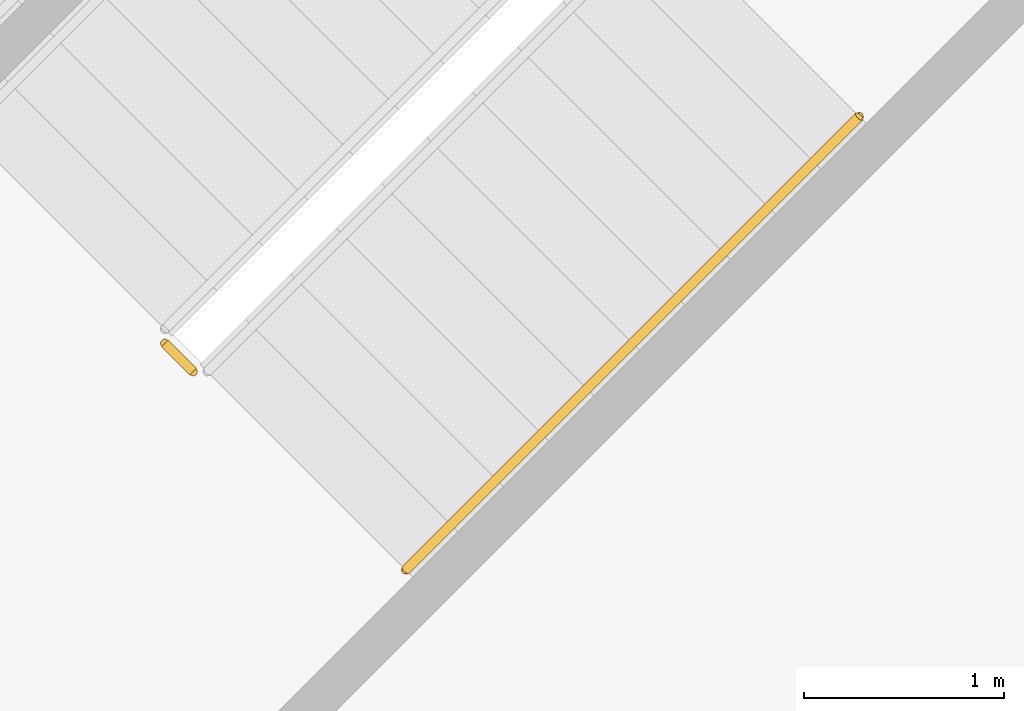
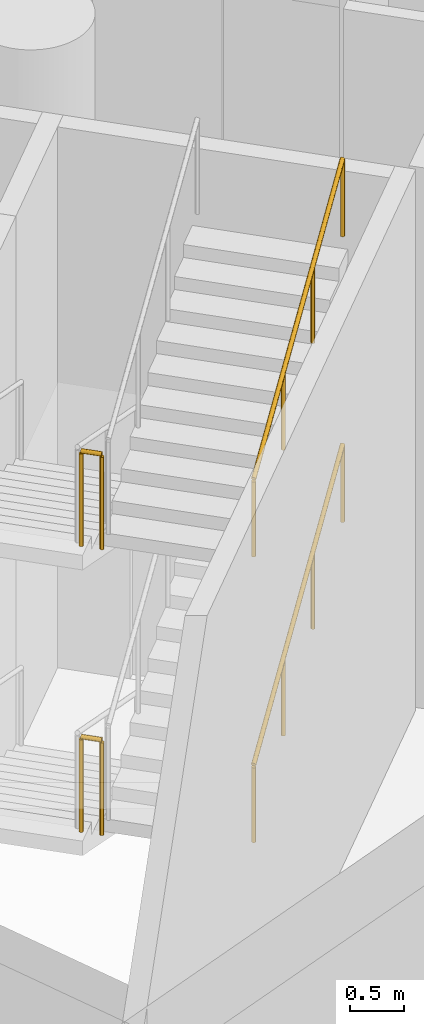
# One storey, part 184 of 255: 4 railings.
"""IFC4 building model written with IfcOpenShell, lengths in metres."""

import ifcopenshell
import ifcopenshell.guid

model = None  # the IFC model being written
_history = None  # IfcOwnerHistory: only IFC2X3 demands one
_inside = {}  # id of a spatial element -> (the spatial element, [elements in it])
_under = {}  # id of a project, library or spatial element -> (it, [spatial elements below it])
_declared = {}  # id of a project -> (the project, [libraries it declares])
_typed = {}  # id of a type object -> (the type object, [elements of that type])
_made_of = {}  # id of a material, layer set ... -> (it, [elements and type objects made of it])


def new_model(schema):
    """Start an empty IFC model of exactly this schema.

    Asked for "IFC4X3", IfcOpenShell would pick the latest addendum, in which some entities
    have other attributes; the version numbers below select the first issue.
    IFC2X3 requires an IfcOwnerHistory on every rooted entity: one is made here for all.
    """
    global model, _history
    if schema == "IFC4X3":
        model = ifcopenshell.file(schema_version=(4, 3, 0, 0))
    else:
        model = ifcopenshell.file(schema=schema)
    _inside.clear()
    _under.clear()
    _declared.clear()
    _typed.clear()
    _made_of.clear()
    _history = None
    if model.schema == "IFC2X3":
        org = make("IfcOrganization", Name="unknown")
        user = make(
            "IfcPersonAndOrganization",
            ThePerson=make("IfcPerson", FamilyName="unknown"),
            TheOrganization=org,
        )
        app = make(
            "IfcApplication",
            ApplicationDeveloper=org,
            Version="unknown",
            ApplicationFullName="unknown",
            ApplicationIdentifier="unknown",
        )
        _history = make(
            "IfcOwnerHistory",
            OwningUser=user,
            OwningApplication=app,
            ChangeAction="ADDED",
            CreationDate=0,
        )
    return model


def make(cls, **values):
    """One entity of the class cls with the attributes given. An attribute that is None is left unset."""
    return model.create_entity(
        cls, **{name: value for name, value in values.items() if value is not None}
    )


def rooted(cls, **values):
    """An entity with a GlobalId (a new one), such as an element, a storey or a relation."""
    return make(cls, GlobalId=ifcopenshell.guid.new(), OwnerHistory=_history, **values)


def si_unit(unit_type, name, prefix=None):
    """IfcSIUnit, for example si_unit("LENGTHUNIT", "METRE", prefix="MILLI")."""
    return make("IfcSIUnit", UnitType=unit_type, Prefix=prefix, Name=name)


def assignment(units):
    """IfcUnitAssignment: the units of a project."""
    return None if units is None else make("IfcUnitAssignment", Units=units)


def point(xyz):
    """IfcCartesianPoint."""
    return None if xyz is None else make("IfcCartesianPoint", Coordinates=xyz)


def direction(xyz):
    """IfcDirection."""
    return None if xyz is None else make("IfcDirection", DirectionRatios=xyz)


def frame(location, z_axis=None, x_axis=None):
    """IfcAxis2Placement3D, a coordinate frame: its origin and axes. An axis left out is left unset."""
    return make(
        "IfcAxis2Placement3D",
        Location=point(location),
        Axis=direction(z_axis),
        RefDirection=direction(x_axis),
    )


def frame_2d(location, x_axis=None):
    """IfcAxis2Placement2D, a coordinate frame in the plane: its origin and x axis."""
    return make(
        "IfcAxis2Placement2D", Location=point(location), RefDirection=direction(x_axis)
    )


def origin():
    """The frame at (0, 0, 0) with its axes left unset."""
    return frame((0.0, 0.0, 0.0))


def origin_2d():
    """The frame at (0, 0) in the plane with its x axis left unset."""
    return frame_2d((0.0, 0.0))


def place(relative_to, where):
    """IfcLocalPlacement: puts the frame where relative to a parent placement (None: the world)."""
    return make(
        "IfcLocalPlacement", PlacementRelTo=relative_to, RelativePlacement=where
    )


def context(
    kind, dimensions, precision=None, world=None, true_north=None, identifier=None
):
    """IfcGeometricRepresentationContext, for example the 3D "Model" context."""
    return make(
        "IfcGeometricRepresentationContext",
        ContextIdentifier=identifier,
        ContextType=kind,
        CoordinateSpaceDimension=dimensions,
        Precision=precision,
        WorldCoordinateSystem=world,
        TrueNorth=true_north,
    )


def subcontext(parent, identifier, kind, view, scale=None):
    """IfcGeometricRepresentationSubContext, for example "Body" below "Model"."""
    return make(
        "IfcGeometricRepresentationSubContext",
        ContextIdentifier=identifier,
        ContextType=kind,
        ParentContext=parent,
        TargetScale=scale,
        TargetView=view,
    )


def project(units=None, contexts=None):
    """IfcProject with its units and contexts."""
    return rooted(
        "IfcProject",
        Name="project",
        RepresentationContexts=contexts,
        UnitsInContext=assignment(units),
    )


def spatial(cls, under=None, at=None, **own):
    """A site, building, storey or space (cls), placed at a placement, below another one or the project."""
    s = rooted(cls, ObjectPlacement=at, **own)
    if under is not None:
        _under.setdefault(under.id(), (under, []))[1].append(s)
    return s


def profile(cls, at=None, kind="AREA", **sizes):
    """A parametric profile (cls). Its sizes go by their IFC names, for example OverallWidth=200.0."""
    return make(cls, ProfileType=kind, Position=at, **sizes)


def circle(**sizes):
    """IfcCircleProfileDef."""
    return profile("IfcCircleProfileDef", **sizes)


def extrude(swept, where, along, depth):
    """IfcExtrudedAreaSolid: the profile swept, set in the frame where, extruded along a direction by depth."""
    return make(
        "IfcExtrudedAreaSolid",
        SweptArea=swept,
        Position=where,
        ExtrudedDirection=direction(along),
        Depth=depth,
    )


def shape(context_of_items, identifier, shape_type, items):
    """IfcShapeRepresentation: the items that make up one representation, for example the "Body"."""
    return make(
        "IfcShapeRepresentation",
        ContextOfItems=context_of_items,
        RepresentationIdentifier=identifier,
        RepresentationType=shape_type,
        Items=items,
    )


def material(Name=None, Category=None):
    """IfcMaterial."""
    return make("IfcMaterial", Name=Name, Category=Category)


def made_of(thing, what):
    """Note that an element or type object is made of a material, layer set ...; save() writes the relation."""
    if what is not None:
        _made_of.setdefault(what.id(), (what, []))[1].append(thing)
    return thing


def type_object(cls, material=None, **own):
    """A type object (cls), such as IfcWallType, which elements share."""
    return made_of(rooted(cls, **own), material)


def element(
    cls,
    number,
    at=None,
    inside=None,
    cuts=None,
    type_object=None,
    material=None,
    context=None,
    identifier="Body",
    shape_type=None,
    held_by="IfcProductDefinitionShape",
    body=None,
    shapes=None,
    **own,
):
    """One element of the class cls, such as IfcWall. Its Tag is "e" and its number.

    at: its placement. inside: the storey or other place that contains it. cuts: it is an
    opening in that element (IfcRelVoidsElement). A single representation is given by context,
    identifier, shape_type and body (its items); several are given by shapes. held_by: the class
    of the entity that holds the representations. save() writes the other relations.
    """
    e = rooted(cls, Tag="e%d" % number, ObjectPlacement=at, **own)
    if body is not None:
        shapes = [shape(context, identifier, shape_type, body)]
    if shapes is not None:
        e.Representation = make(held_by, Representations=shapes)
    if inside is not None:
        _inside.setdefault(inside.id(), (inside, []))[1].append(e)
    if cuts is not None:
        rooted(
            "IfcRelVoidsElement", RelatingBuildingElement=cuts, RelatedOpeningElement=e
        )
    if type_object is not None:
        _typed.setdefault(type_object.id(), (type_object, []))[1].append(e)
    return made_of(e, material)


def aggregate(whole, parts):
    """IfcRelAggregates: a whole, such as a stair, and the parts it consists of."""
    return rooted("IfcRelAggregates", RelatingObject=whole, RelatedObjects=parts)


def save(model, path):
    """Write the relations noted so far, then the file.

    IfcRelAggregates (storeys below a building ...), IfcRelContainedInSpatialStructure (elements
    in a storey), IfcRelDefinesByType, IfcRelAssociatesMaterial and IfcRelDeclares: one each for
    every whole, place, type object, material and project.
    """
    for whole, parts in _under.values():
        aggregate(whole, parts)
    for where, things in _inside.values():
        rooted(
            "IfcRelContainedInSpatialStructure",
            RelatedElements=things,
            RelatingStructure=where,
        )
    for kind, things in _typed.values():
        rooted("IfcRelDefinesByType", RelatedObjects=things, RelatingType=kind)
    for what, things in _made_of.values():
        rooted("IfcRelAssociatesMaterial", RelatedObjects=things, RelatingMaterial=what)
    for by, libraries in _declared.values():
        rooted("IfcRelDeclares", RelatingContext=by, RelatedDefinitions=libraries)
    model.write(path)


model = new_model("IFC4")

# Units and contexts
model_context = context("Model", 3, precision=1e-05, world=origin(), true_north=direction((0.0, 1.0)))
body_context = subcontext(model_context, "Body", "Model", "MODEL_VIEW")
ifc_project = project(units=[si_unit("LENGTHUNIT", "METRE"), si_unit("AREAUNIT", "SQUARE_METRE"), si_unit("VOLUMEUNIT", "CUBIC_METRE"), si_unit("PLANEANGLEUNIT", "RADIAN"), si_unit("MASSUNIT", "GRAM", prefix="KILO")], contexts=[model_context])

# Site, building, storey
site_placement = place(None, origin())
site = spatial("IfcSite", under=ifc_project, at=site_placement, CompositionType="ELEMENT")
building_placement = place(site_placement, origin())
building = spatial("IfcBuilding", under=site, at=building_placement, Name="Meseta Stadium", CompositionType="ELEMENT")
storey_placement = place(building_placement, origin())
storey = spatial("IfcBuildingStorey", under=building, at=storey_placement, Name="L00", CompositionType="ELEMENT", Elevation=0.0)

# Railings
ifc_material_1 = material(Name="Steel S355", Category="steel")
railing_type_1 = type_object("IfcRailingType", Name="Stair guard 1100", PredefinedType="GUARDRAIL", material=ifc_material_1)
for number, where, name in (
    (1, (-74.53173828125, -85.602783203125, 1.625), "ST84 L00 guard 2"),
    (2, (-74.53173828125, -85.602783203125, 4.875), "ST84 L00 guard 6"),
):
    element("IfcRailing", number, at=place(storey_placement, frame(where)), inside=storey, type_object=railing_type_1, Name=name, PredefinedType="GUARDRAIL", context=body_context, shape_type="SweptSolid", body=[
        extrude(circle(Radius=0.02392578125, at=origin_2d()), frame((0.0, 0.0, 1.076171875), z_axis=(0.707106781187, -0.707106781187, 0.0), x_axis=(0.707106781187, 0.707106781187, 0.0)), (0.0, 0.0, 1.0), 0.199951171875),
        extrude(circle(Radius=0.02099609375, at=origin_2d()), origin(), (0.0, 0.0, 1.0), 1.052001953125),
        extrude(circle(Radius=0.02099609375, at=origin_2d()), frame((0.141357421875, -0.141357421875, 0.0)), (0.0, 0.0, 1.0), 1.052001953125),
    ])
ifc_material_2 = material(Name="Steel S355", Category="steel")
railing_type_2 = type_object("IfcRailingType", Name="Stair handrail 900", PredefinedType="HANDRAIL", material=ifc_material_2)
for number, where, name in (
    (3, (-73.32958984375, -86.734130859375, 1.772705078125), "ST84 L00 handrail 2"),
    (4, (-73.32958984375, -86.734130859375, 5.022705078125), "ST84 L00 handrail 4"),
):
    element("IfcRailing", number, at=place(storey_placement, frame(where)), inside=storey, type_object=railing_type_2, Name=name, PredefinedType="HANDRAIL", context=body_context, shape_type="SweptSolid", body=[
        extrude(circle(Radius=0.02392578125, at=origin_2d()), frame((0.0, 0.0, 0.8759765625), z_axis=(0.641993537882, 0.641993537882, 0.419152233246), x_axis=(-0.707106781187, 0.707106781187, 0.0)), (0.0, 0.0, 1.0), 3.5244140625),
        extrude(circle(Radius=0.02099609375, at=origin_2d()), origin(), (0.0, 0.0, 1.0), 0.851806640625),
        extrude(circle(Radius=0.02099609375, at=origin_2d()), frame((0.754150390625, 0.754150390625, 0.492431640625)), (0.0, 0.0, 1.0), 0.851806640625),
        extrude(circle(Radius=0.02099609375, at=origin_2d()), frame((1.508544921875, 1.508544921875, 0.98486328125)), (0.0, 0.0, 1.0), 0.851806640625),
        extrude(circle(Radius=0.02099609375, at=origin_2d()), frame((2.2626953125, 2.2626953125, 1.477294921875)), (0.0, 0.0, 1.0), 0.851806640625),
    ])

save(model, "model.ifc")
